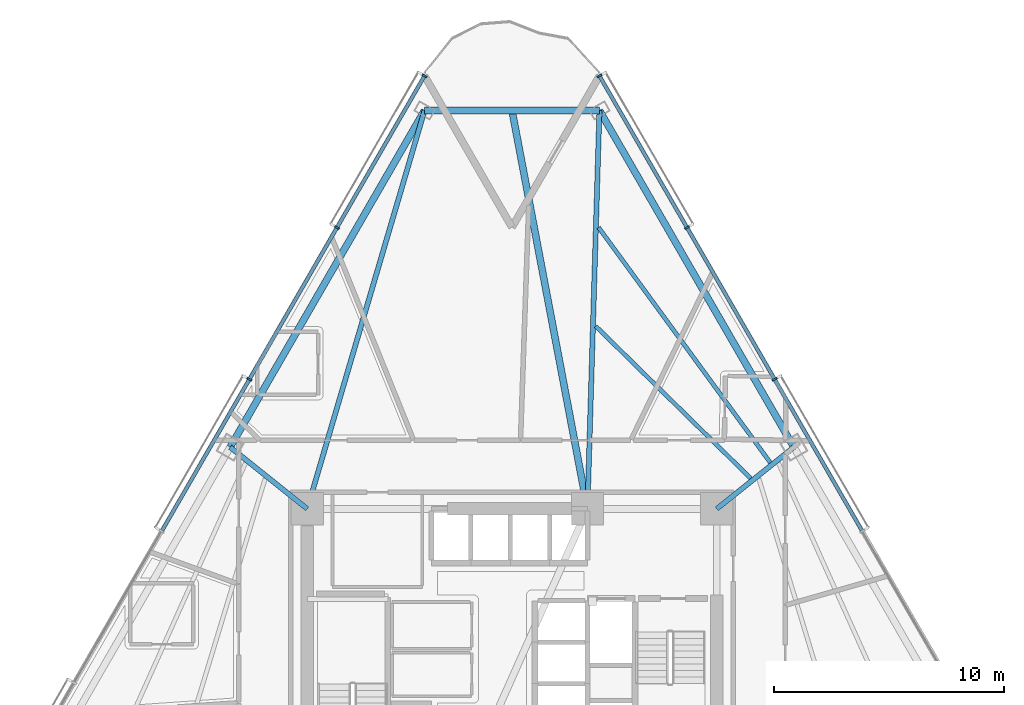
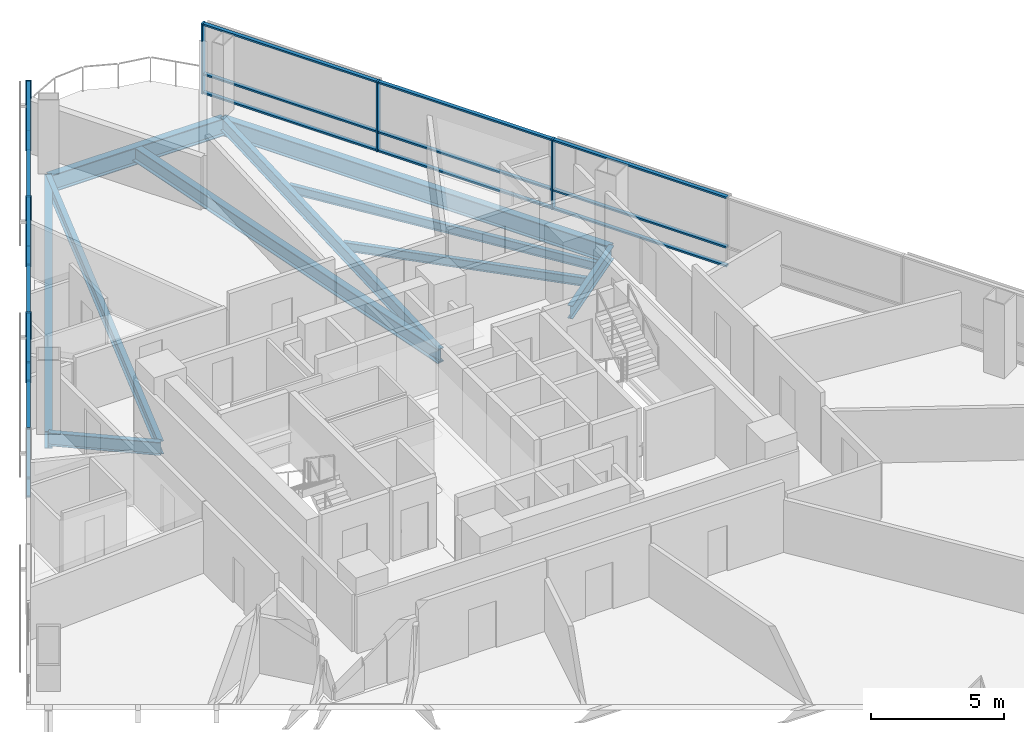
# One storey, part 5 of 16: 24 members, 10 beams, 2 elements without a shape of their own.
"""IFC4 building model written with IfcOpenShell, lengths in metres."""

from ifc_helpers import new_model, si_unit, direction, frame, origin, origin_2d, place, context, subcontext, project, spatial, rectangle, i_section, extrude, material, layer, layer_set, material_profile, profile_set, type_object, element, aggregate, save


model = new_model("IFC4")

# Units and contexts
model_context = context("Model", 3, precision=1e-05, world=origin(), true_north=direction((0.0, 1.0)))
body_context = subcontext(model_context, "Body", "Model", "MODEL_VIEW")
ifc_project = project(units=[si_unit("LENGTHUNIT", "METRE"), si_unit("AREAUNIT", "SQUARE_METRE"), si_unit("VOLUMEUNIT", "CUBIC_METRE"), si_unit("PLANEANGLEUNIT", "RADIAN"), si_unit("MASSUNIT", "GRAM", prefix="KILO")], contexts=[model_context])

# Site, building, storey
site_placement = place(None, origin())
site = spatial("IfcSite", under=ifc_project, at=site_placement, CompositionType="ELEMENT")
building_placement = place(site_placement, origin())
building = spatial("IfcBuilding", under=site, at=building_placement, Name="Tharavind Bronze Gate", CompositionType="ELEMENT")
storey_placement = place(building_placement, frame((0.0, 0.0, 45.449951171875)))
storey = spatial("IfcBuildingStorey", under=building, at=storey_placement, Name="L10", CompositionType="ELEMENT", Elevation=45.449951171875)

# Curtain wall, members
ifc_material_1 = material(Name="Anodised Bronze Aluminium", Category="aluminium")
ifc_layer = layer(ifc_material_1, 0.219970703125)
ifc_layer_set = layer_set([ifc_layer], Name="Anodised Bronze Aluminium")
curtain_wall_type = type_object("IfcCurtainWallType", Name="UNITISED CURTAIN WALL HOTEL", PredefinedType="USERDEFINED", material=ifc_layer_set)
curtain_wall_1_placement = place(storey_placement, origin())
curtain_wall_1 = element("IfcCurtainWall", 1, at=curtain_wall_1_placement, inside=storey, type_object=curtain_wall_type, Name="L10 unitised curtain wall hotel CW-L10-S1", ObjectType="UNITISED CURTAIN WALL", PredefinedType="USERDEFINED")
member_type_1 = type_object("IfcMemberType", Name="CURTAIN WALL MULLION 80X220", PredefinedType="MULLION", material=ifc_material_1)
member_1_placement = place(storey_placement, frame((-3.800048828125, 26.418212890625, 0.0), z_axis=(0.0, 0.0, 1.0), x_axis=(-0.500001511499, -0.866024531118, 0.0)))
member_1 = element("IfcMember", 2, at=member_1_placement, type_object=member_type_1, Name="CW-L10-S1 mullion 1", PredefinedType="MULLION", context=body_context, shape_type="SweptSolid", body=[
    extrude(rectangle(XDim=0.080078125, YDim=0.219970703125, at=origin_2d()), origin(), (0.0, 0.0, 1.0), 3.22509765625),
])
member_2_placement = place(storey_placement, frame((-7.60791015625, 19.822509765625, 0.0), z_axis=(0.0, 0.0, 1.0), x_axis=(-0.500001511499, -0.866024531118, 0.0)))
member_2 = element("IfcMember", 3, at=member_2_placement, type_object=member_type_1, Name="CW-L10-S1 mullion 2", PredefinedType="MULLION", context=body_context, shape_type="SweptSolid", body=[
    extrude(rectangle(XDim=0.080078125, YDim=0.219970703125, at=origin_2d()), origin(), (0.0, 0.0, 1.0), 3.22509765625),
])
member_3_placement = place(storey_placement, frame((-11.416015625, 13.22705078125, 0.0), z_axis=(0.0, 0.0, 1.0), x_axis=(-0.500001511499, -0.866024531118, 0.0)))
member_3 = element("IfcMember", 4, at=member_3_placement, type_object=member_type_1, Name="CW-L10-S1 mullion 3", PredefinedType="MULLION", context=body_context, shape_type="SweptSolid", body=[
    extrude(rectangle(XDim=0.080078125, YDim=0.219970703125, at=origin_2d()), origin(), (0.0, 0.0, 1.0), 3.22509765625),
])

curtain_wall_2_placement = place(storey_placement, origin())
curtain_wall_2 = element("IfcCurtainWall", 5, at=curtain_wall_2_placement, inside=storey, type_object=curtain_wall_type, Name="L10 unitised curtain wall hotel CW-L10-S3", ObjectType="UNITISED CURTAIN WALL", PredefinedType="USERDEFINED")
member_4_placement = place(storey_placement, frame((11.416015625, 13.22705078125, 0.0), z_axis=(0.0, 0.0, 1.0), x_axis=(-0.500001511499, 0.866024531118, 0.0)))
member_4 = element("IfcMember", 6, at=member_4_placement, type_object=member_type_1, Name="CW-L10-S3 mullion 6", PredefinedType="MULLION", context=body_context, shape_type="SweptSolid", body=[
    extrude(rectangle(XDim=0.080078125, YDim=0.219970703125, at=origin_2d()), origin(), (0.0, 0.0, 1.0), 3.22509765625),
])
member_5_placement = place(storey_placement, frame((7.60791015625, 19.822509765625, 0.0), z_axis=(0.0, 0.0, 1.0), x_axis=(-0.500001511499, 0.866024531118, 0.0)))
member_5 = element("IfcMember", 7, at=member_5_placement, type_object=member_type_1, Name="CW-L10-S3 mullion 7", PredefinedType="MULLION", context=body_context, shape_type="SweptSolid", body=[
    extrude(rectangle(XDim=0.080078125, YDim=0.219970703125, at=origin_2d()), origin(), (0.0, 0.0, 1.0), 3.22509765625),
])
member_6_placement = place(storey_placement, frame((3.800048828125, 26.418212890625, 0.0), z_axis=(0.0, 0.0, 1.0), x_axis=(-0.500001511499, 0.866024531118, 0.0)))
member_6 = element("IfcMember", 8, at=member_6_placement, type_object=member_type_1, Name="CW-L10-S3 mullion 8", PredefinedType="MULLION", context=body_context, shape_type="SweptSolid", body=[
    extrude(rectangle(XDim=0.080078125, YDim=0.219970703125, at=origin_2d()), origin(), (0.0, 0.0, 1.0), 3.22509765625),
])

# Member
member_type_2 = type_object("IfcMemberType", Name="CURTAIN WALL TRANSOM 80X160", PredefinedType="USERDEFINED", material=ifc_material_1)
member_7_placement = place(storey_placement, frame((-5.7041015625, 23.120361328125, 0.0), z_axis=(0.0, 0.0, 1.0), x_axis=(-0.500001511499, -0.866024531118, 0.0)))
member_7 = element("IfcMember", 9, at=member_7_placement, type_object=member_type_2, Name="CW-L10-S1 transom TB1", ObjectType="TRANSOM", PredefinedType="USERDEFINED", context=body_context, shape_type="SweptSolid", body=[
    extrude(rectangle(XDim=7.5478515625, YDim=0.159912109375, at=origin_2d()), origin(), (0.0, 0.0, 1.0), 0.080078125),
])

member_8_placement = place(storey_placement, frame((-5.7041015625, 23.120361328125, 0.860107421875), z_axis=(0.0, 0.0, 1.0), x_axis=(-0.500001511499, -0.866024531118, 0.0)))
member_8 = element("IfcMember", 10, at=member_8_placement, type_object=member_type_2, Name="CW-L10-S1 transom TS1", ObjectType="TRANSOM", PredefinedType="USERDEFINED", context=body_context, shape_type="SweptSolid", body=[
    extrude(rectangle(XDim=7.5478515625, YDim=0.159912109375, at=origin_2d()), origin(), (0.0, 0.0, 1.0), 0.080078125),
])

member_9_placement = place(storey_placement, frame((-5.7041015625, 23.120361328125, 3.14501953125), z_axis=(0.0, 0.0, 1.0), x_axis=(-0.500001511499, -0.866024531118, 0.0)))
member_9 = element("IfcMember", 11, at=member_9_placement, type_object=member_type_2, Name="CW-L10-S1 transom TT1", ObjectType="TRANSOM", PredefinedType="USERDEFINED", context=body_context, shape_type="SweptSolid", body=[
    extrude(rectangle(XDim=7.5478515625, YDim=0.159912109375, at=origin_2d()), origin(), (0.0, 0.0, 1.0), 0.080078125),
])

member_10_placement = place(storey_placement, frame((-9.511962890625, 16.52490234375, 0.0), z_axis=(0.0, 0.0, 1.0), x_axis=(-0.500001511499, -0.866024531118, 0.0)))
member_10 = element("IfcMember", 12, at=member_10_placement, type_object=member_type_2, Name="CW-L10-S1 transom TB2", ObjectType="TRANSOM", PredefinedType="USERDEFINED", context=body_context, shape_type="SweptSolid", body=[
    extrude(rectangle(XDim=7.5478515625, YDim=0.159912109375, at=origin_2d()), origin(), (0.0, 0.0, 1.0), 0.080078125),
])

member_11_placement = place(storey_placement, frame((-9.511962890625, 16.52490234375, 0.860107421875), z_axis=(0.0, 0.0, 1.0), x_axis=(-0.500001511499, -0.866024531118, 0.0)))
member_11 = element("IfcMember", 13, at=member_11_placement, type_object=member_type_2, Name="CW-L10-S1 transom TS2", ObjectType="TRANSOM", PredefinedType="USERDEFINED", context=body_context, shape_type="SweptSolid", body=[
    extrude(rectangle(XDim=7.5478515625, YDim=0.159912109375, at=origin_2d()), origin(), (0.0, 0.0, 1.0), 0.080078125),
])

member_12_placement = place(storey_placement, frame((-9.511962890625, 16.52490234375, 3.14501953125), z_axis=(0.0, 0.0, 1.0), x_axis=(-0.500001511499, -0.866024531118, 0.0)))
member_12 = element("IfcMember", 14, at=member_12_placement, type_object=member_type_2, Name="CW-L10-S1 transom TT2", ObjectType="TRANSOM", PredefinedType="USERDEFINED", context=body_context, shape_type="SweptSolid", body=[
    extrude(rectangle(XDim=7.5478515625, YDim=0.159912109375, at=origin_2d()), origin(), (0.0, 0.0, 1.0), 0.080078125),
])

member_13_placement = place(storey_placement, frame((-13.31982421875, 9.92919921875, 0.0), z_axis=(0.0, 0.0, 1.0), x_axis=(-0.500001511499, -0.866024531118, 0.0)))
member_13 = element("IfcMember", 15, at=member_13_placement, type_object=member_type_2, Name="CW-L10-S1 transom TB3", ObjectType="TRANSOM", PredefinedType="USERDEFINED", context=body_context, shape_type="SweptSolid", body=[
    extrude(rectangle(XDim=7.5478515625, YDim=0.159912109375, at=origin_2d()), origin(), (0.0, 0.0, 1.0), 0.080078125),
])

member_14_placement = place(storey_placement, frame((-13.31982421875, 9.92919921875, 0.860107421875), z_axis=(0.0, 0.0, 1.0), x_axis=(-0.500001511499, -0.866024531118, 0.0)))
member_14 = element("IfcMember", 16, at=member_14_placement, type_object=member_type_2, Name="CW-L10-S1 transom TS3", ObjectType="TRANSOM", PredefinedType="USERDEFINED", context=body_context, shape_type="SweptSolid", body=[
    extrude(rectangle(XDim=7.5478515625, YDim=0.159912109375, at=origin_2d()), origin(), (0.0, 0.0, 1.0), 0.080078125),
])

member_15_placement = place(storey_placement, frame((-13.31982421875, 9.92919921875, 3.14501953125), z_axis=(0.0, 0.0, 1.0), x_axis=(-0.500001511499, -0.866024531118, 0.0)))
member_15 = element("IfcMember", 17, at=member_15_placement, type_object=member_type_2, Name="CW-L10-S1 transom TT3", ObjectType="TRANSOM", PredefinedType="USERDEFINED", context=body_context, shape_type="SweptSolid", body=[
    extrude(rectangle(XDim=7.5478515625, YDim=0.159912109375, at=origin_2d()), origin(), (0.0, 0.0, 1.0), 0.080078125),
])

aggregate(curtain_wall_1, [member_1, member_2, member_3, member_7, member_8, member_9, member_10, member_11, member_12, member_13, member_14, member_15])

member_16_placement = place(storey_placement, frame((13.31982421875, 9.92919921875, 0.0), z_axis=(0.0, 0.0, 1.0), x_axis=(-0.500001511499, 0.866024531118, 0.0)))
member_16 = element("IfcMember", 18, at=member_16_placement, type_object=member_type_2, Name="CW-L10-S3 transom TB5", ObjectType="TRANSOM", PredefinedType="USERDEFINED", context=body_context, shape_type="SweptSolid", body=[
    extrude(rectangle(XDim=7.5478515625, YDim=0.159912109375, at=origin_2d()), origin(), (0.0, 0.0, 1.0), 0.080078125),
])

member_17_placement = place(storey_placement, frame((13.31982421875, 9.92919921875, 0.860107421875), z_axis=(0.0, 0.0, 1.0), x_axis=(-0.500001511499, 0.866024531118, 0.0)))
member_17 = element("IfcMember", 19, at=member_17_placement, type_object=member_type_2, Name="CW-L10-S3 transom TS5", ObjectType="TRANSOM", PredefinedType="USERDEFINED", context=body_context, shape_type="SweptSolid", body=[
    extrude(rectangle(XDim=7.5478515625, YDim=0.159912109375, at=origin_2d()), origin(), (0.0, 0.0, 1.0), 0.080078125),
])

member_18_placement = place(storey_placement, frame((13.31982421875, 9.92919921875, 3.14501953125), z_axis=(0.0, 0.0, 1.0), x_axis=(-0.500001511499, 0.866024531118, 0.0)))
member_18 = element("IfcMember", 20, at=member_18_placement, type_object=member_type_2, Name="CW-L10-S3 transom TT5", ObjectType="TRANSOM", PredefinedType="USERDEFINED", context=body_context, shape_type="SweptSolid", body=[
    extrude(rectangle(XDim=7.5478515625, YDim=0.159912109375, at=origin_2d()), origin(), (0.0, 0.0, 1.0), 0.080078125),
])

member_19_placement = place(storey_placement, frame((9.511962890625, 16.52490234375, 0.0), z_axis=(0.0, 0.0, 1.0), x_axis=(-0.500001511499, 0.866024531118, 0.0)))
member_19 = element("IfcMember", 21, at=member_19_placement, type_object=member_type_2, Name="CW-L10-S3 transom TB6", ObjectType="TRANSOM", PredefinedType="USERDEFINED", context=body_context, shape_type="SweptSolid", body=[
    extrude(rectangle(XDim=7.5478515625, YDim=0.159912109375, at=origin_2d()), origin(), (0.0, 0.0, 1.0), 0.080078125),
])

member_20_placement = place(storey_placement, frame((9.511962890625, 16.52490234375, 0.860107421875), z_axis=(0.0, 0.0, 1.0), x_axis=(-0.500001511499, 0.866024531118, 0.0)))
member_20 = element("IfcMember", 22, at=member_20_placement, type_object=member_type_2, Name="CW-L10-S3 transom TS6", ObjectType="TRANSOM", PredefinedType="USERDEFINED", context=body_context, shape_type="SweptSolid", body=[
    extrude(rectangle(XDim=7.5478515625, YDim=0.159912109375, at=origin_2d()), origin(), (0.0, 0.0, 1.0), 0.080078125),
])

member_21_placement = place(storey_placement, frame((9.511962890625, 16.52490234375, 3.14501953125), z_axis=(0.0, 0.0, 1.0), x_axis=(-0.500001511499, 0.866024531118, 0.0)))
member_21 = element("IfcMember", 23, at=member_21_placement, type_object=member_type_2, Name="CW-L10-S3 transom TT6", ObjectType="TRANSOM", PredefinedType="USERDEFINED", context=body_context, shape_type="SweptSolid", body=[
    extrude(rectangle(XDim=7.5478515625, YDim=0.159912109375, at=origin_2d()), origin(), (0.0, 0.0, 1.0), 0.080078125),
])

member_22_placement = place(storey_placement, frame((5.7041015625, 23.120361328125, 0.0), z_axis=(0.0, 0.0, 1.0), x_axis=(-0.500001511499, 0.866024531118, 0.0)))
member_22 = element("IfcMember", 24, at=member_22_placement, type_object=member_type_2, Name="CW-L10-S3 transom TB7", ObjectType="TRANSOM", PredefinedType="USERDEFINED", context=body_context, shape_type="SweptSolid", body=[
    extrude(rectangle(XDim=7.5478515625, YDim=0.159912109375, at=origin_2d()), origin(), (0.0, 0.0, 1.0), 0.080078125),
])

member_23_placement = place(storey_placement, frame((5.7041015625, 23.120361328125, 0.860107421875), z_axis=(0.0, 0.0, 1.0), x_axis=(-0.500001511499, 0.866024531118, 0.0)))
member_23 = element("IfcMember", 25, at=member_23_placement, type_object=member_type_2, Name="CW-L10-S3 transom TS7", ObjectType="TRANSOM", PredefinedType="USERDEFINED", context=body_context, shape_type="SweptSolid", body=[
    extrude(rectangle(XDim=7.5478515625, YDim=0.159912109375, at=origin_2d()), origin(), (0.0, 0.0, 1.0), 0.080078125),
])

member_24_placement = place(storey_placement, frame((5.7041015625, 23.120361328125, 3.14501953125), z_axis=(0.0, 0.0, 1.0), x_axis=(-0.500001511499, 0.866024531118, 0.0)))
member_24 = element("IfcMember", 26, at=member_24_placement, type_object=member_type_2, Name="CW-L10-S3 transom TT7", ObjectType="TRANSOM", PredefinedType="USERDEFINED", context=body_context, shape_type="SweptSolid", body=[
    extrude(rectangle(XDim=7.5478515625, YDim=0.159912109375, at=origin_2d()), origin(), (0.0, 0.0, 1.0), 0.080078125),
])

aggregate(curtain_wall_2, [member_4, member_5, member_6, member_16, member_17, member_18, member_19, member_20, member_21, member_22, member_23, member_24])

# Beams
ifc_material_2 = material(Name="Steel S355", Category="steel")
ifc_material_profile_1 = material_profile(ifc_material_2, i_section(OverallWidth=0.300048828125, OverallDepth=0.64990234375, WebThickness=0.01611328125, FlangeThickness=0.031005859375, at=origin_2d()), Name="HE650B")
ifc_profile_set_1 = profile_set([ifc_material_profile_1], Name="Steel S355")
beam_type_1 = type_object("IfcBeamType", Name="PRIMARY GIRDER HE650B", PredefinedType="USERDEFINED", material=ifc_profile_set_1)
beam_1_placement = place(storey_placement, frame((3.280029296875, 7.60009765625, -0.5), z_axis=(-0.186090445171, 0.982532618398, 0.0), x_axis=(-0.982532618398, -0.186090445171, 0.0)))
element("IfcBeam", 27, at=beam_1_placement, inside=storey, type_object=beam_type_1, Name="L10 primary girder he650b BM-L10-BLCSB", ObjectType="GIRDER", PredefinedType="USERDEFINED", context=body_context, shape_type="SweptSolid", body=[
    extrude(i_section(OverallWidth=0.300048828125, OverallDepth=0.64990234375, WebThickness=0.01611328125, FlangeThickness=0.031005859375, at=origin_2d()), origin(), (0.0, 0.0, 1.0), 17.6259765625),
])
ifc_material_profile_2 = material_profile(ifc_material_2, i_section(OverallWidth=0.219970703125, OverallDepth=0.60009765625, WebThickness=0.011962890625, FlangeThickness=0.01904296875, at=origin_2d()), Name="IPE600")
ifc_profile_set_2 = profile_set([ifc_material_profile_2], Name="Steel S355")
beam_type_2 = type_object("IfcBeamType", Name="PRIMARY GIRDER IPE600", PredefinedType="USERDEFINED", material=ifc_profile_set_2)
beam_2_placement = place(storey_placement, frame((-3.800048828125, 24.918212890625, -0.474853515625), z_axis=(-0.282486989934, -0.959271129826, 0.0), x_axis=(0.959271129826, -0.282486989934, 0.0)))
element("IfcBeam", 28, at=beam_2_placement, inside=storey, type_object=beam_type_2, Name="L10 primary girder ipe600 BM-L10-RAD01", ObjectType="GIRDER", PredefinedType="USERDEFINED", context=body_context, shape_type="SweptSolid", body=[
    extrude(i_section(OverallWidth=0.219970703125, OverallDepth=0.60009765625, WebThickness=0.011962890625, FlangeThickness=0.01904296875, at=origin_2d()), origin(), (0.0, 0.0, 1.0), 18.053466796875),
])
for number, where, z_axis, x_axis, name in (
    (29, (-12.252197265625, 10.278564453125, -0.474853515625), (0.781251676118, -0.62421616333, 0.0), (0.62421616333, 0.781251676118, 0.0), "L10 primary girder ipe600 BM-L10-RAD02"),
    (30, (12.252197265625, 10.278564453125, -0.474853515625), (-0.781251676118, -0.62421616333, 0.0), (0.62421616333, -0.781251676118, 0.0), "L10 primary girder ipe600 BM-L10-RAD11"),
):
    element("IfcBeam", number, at=place(storey_placement, frame(where, z_axis=z_axis, x_axis=x_axis)), inside=storey, type_object=beam_type_2, Name=name, ObjectType="GIRDER", PredefinedType="USERDEFINED", context=body_context, shape_type="SweptSolid", body=[
        extrude(i_section(OverallWidth=0.219970703125, OverallDepth=0.60009765625, WebThickness=0.011962890625, FlangeThickness=0.01904296875, at=origin_2d()), origin(), (0.0, 0.0, 1.0), 4.291015625),
    ])
beam_3_placement = place(storey_placement, frame((3.800048828125, 24.918212890625, -0.474853515625), z_axis=(-0.030013961958, -0.999549479559, 0.0), x_axis=(0.999549479559, -0.030013961958, 0.0)))
element("IfcBeam", 31, at=beam_3_placement, inside=storey, type_object=beam_type_2, Name="L10 primary girder ipe600 BM-L10-RAD12", ObjectType="GIRDER", PredefinedType="USERDEFINED", context=body_context, shape_type="SweptSolid", body=[
    extrude(i_section(OverallWidth=0.219970703125, OverallDepth=0.60009765625, WebThickness=0.011962890625, FlangeThickness=0.01904296875, at=origin_2d()), origin(), (0.0, 0.0, 1.0), 17.325927734375),
])
ifc_material_profile_3 = material_profile(ifc_material_2, i_section(OverallWidth=0.300048828125, OverallDepth=0.800048828125, WebThickness=0.017578125, FlangeThickness=0.032958984375, at=origin_2d()), Name="HE800B")
ifc_profile_set_3 = profile_set([ifc_material_profile_3], Name="Steel S355")
beam_type_3 = type_object("IfcBeamType", Name="RING GIRDER HE800B", PredefinedType="USERDEFINED", material=ifc_profile_set_3)
for number, where, z_axis, x_axis, name in (
    (32, (-3.800048828125, 24.918212890625, -0.574951171875), (-0.499997491977, -0.866026851788, 0.0), (0.866026851788, -0.499997491977, 0.0), "L10 ring girder he800b BM-L10-PRG01"),
    (33, (12.252197265625, 10.278564453125, -0.574951171875), (-0.499997491977, 0.866026851788, 0.0), (-0.866026851788, -0.499997491977, 0.0), "L10 ring girder he800b BM-L10-PRG11"),
):
    element("IfcBeam", number, at=place(storey_placement, frame(where, z_axis=z_axis, x_axis=x_axis)), inside=storey, type_object=beam_type_3, Name=name, ObjectType="GIRDER", PredefinedType="USERDEFINED", context=body_context, shape_type="SweptSolid", body=[
        extrude(i_section(OverallWidth=0.300048828125, OverallDepth=0.800048828125, WebThickness=0.017578125, FlangeThickness=0.032958984375, at=origin_2d()), origin(), (0.0, 0.0, 1.0), 16.904296875),
    ])
beam_4_placement = place(storey_placement, frame((3.800048828125, 24.918212890625, -0.574951171875), z_axis=(-1.0, 0.0, 0.0), x_axis=(0.0, -1.0, 0.0)))
element("IfcBeam", 34, at=beam_4_placement, inside=storey, type_object=beam_type_3, Name="L10 ring girder he800b BM-L10-PRG12", ObjectType="GIRDER", PredefinedType="USERDEFINED", context=body_context, shape_type="SweptSolid", body=[
    extrude(i_section(OverallWidth=0.300048828125, OverallDepth=0.800048828125, WebThickness=0.017578125, FlangeThickness=0.032958984375, at=origin_2d()), origin(), (0.0, 0.0, 1.0), 7.60009765625),
])
ifc_material_profile_4 = material_profile(ifc_material_2, i_section(OverallWidth=0.179931640625, OverallDepth=0.39990234375, WebThickness=0.008544921875, FlangeThickness=0.013427734375, at=origin_2d()), Name="IPE400")
ifc_profile_set_4 = profile_set([ifc_material_profile_4], Name="Steel S355")
beam_type_4 = type_object("IfcBeamType", Name="SECONDARY FLOOR JOIST IPE400", PredefinedType="JOIST", material=ifc_profile_set_4)
beam_5_placement = place(storey_placement, frame((10.376953125, 8.92578125, -0.375), z_axis=(-0.713727372998, 0.700423612561, 0.0), x_axis=(-0.700423612561, -0.713727372998, 0.0)))
element("IfcBeam", 35, at=beam_5_placement, inside=storey, type_object=beam_type_4, Name="L10 secondary floor joist ipe400 BM-L10-JSTA11", PredefinedType="JOIST", context=body_context, shape_type="SweptSolid", body=[
    extrude(i_section(OverallWidth=0.179931640625, OverallDepth=0.39990234375, WebThickness=0.008544921875, FlangeThickness=0.013427734375, at=origin_2d()), origin(), (0.0, 0.0, 1.0), 9.450927734375),
])
beam_6_placement = place(storey_placement, frame((11.2294921875, 9.607421875, -0.375), z_axis=(-0.589794717955, 0.807553212285, 0.0), x_axis=(-0.807553212285, -0.589794717955, 0.0)))
element("IfcBeam", 36, at=beam_6_placement, inside=storey, type_object=beam_type_4, Name="L10 secondary floor joist ipe400 BM-L10-JSTB11", PredefinedType="JOIST", context=body_context, shape_type="SweptSolid", body=[
    extrude(i_section(OverallWidth=0.179931640625, OverallDepth=0.39990234375, WebThickness=0.008544921875, FlangeThickness=0.013427734375, at=origin_2d()), origin(), (0.0, 0.0, 1.0), 12.66455078125),
])

save(model, "model.ifc")
